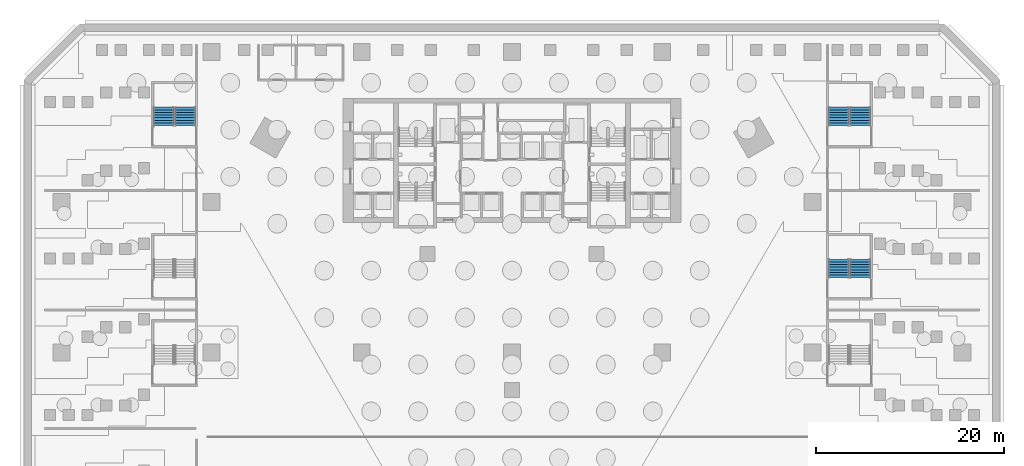
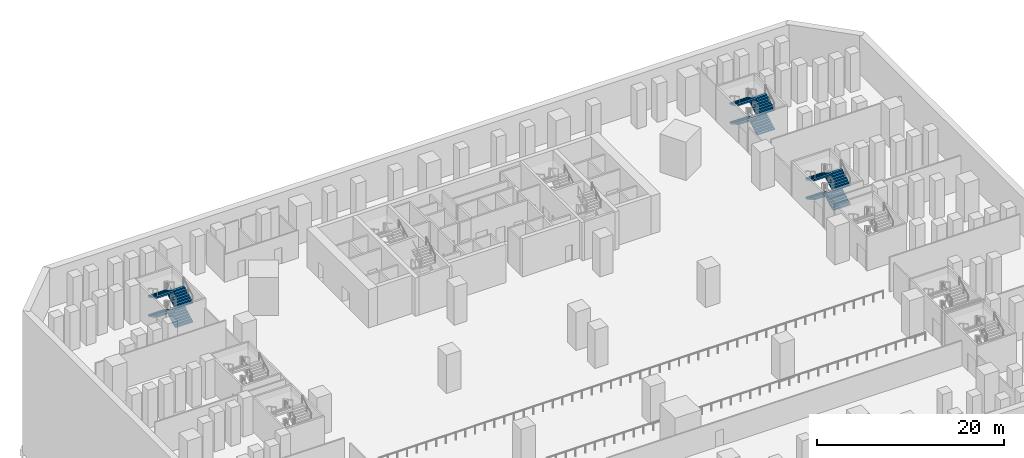
# One storey, part 17 of 27: 12 stair flights, 3 elements without a shape of their own.
"""IFC4 building model written with IfcOpenShell, lengths in metres."""

from ifc_helpers import new_model, si_unit, direction, frame, origin, place, context, subcontext, project, spatial, faceted_brep, source, transform, mapped, material, type_object, element, aggregate, save


model = new_model("IFC4")

# Units and contexts
model_context = context("Model", 3, precision=1e-05, world=origin(), true_north=direction((0.0, 1.0)))
body_context = subcontext(model_context, "Body", "Model", "MODEL_VIEW")
ifc_project = project(units=[si_unit("LENGTHUNIT", "METRE"), si_unit("AREAUNIT", "SQUARE_METRE"), si_unit("VOLUMEUNIT", "CUBIC_METRE"), si_unit("PLANEANGLEUNIT", "RADIAN"), si_unit("MASSUNIT", "GRAM", prefix="KILO")], contexts=[model_context])

# Site, building, storey
site_placement = place(None, origin())
site = spatial("IfcSite", under=ifc_project, at=site_placement, CompositionType="ELEMENT")
building_placement = place(site_placement, origin())
building = spatial("IfcBuilding", under=site, at=building_placement, Name="Calabash Gate Tower", CompositionType="ELEMENT")
storey_placement = place(building_placement, frame((0.0, 0.0, -10.0)))
storey = spatial("IfcBuildingStorey", under=building, at=storey_placement, Name="B2", CompositionType="ELEMENT", Elevation=-10.0)

# Stair, stair flights
ifc_material_1 = material(Name="Concrete C40/50", Category="concrete")
stair_type = type_object("IfcStairType", Name="Public stair 32 risers of 156.2 mm", PredefinedType="HALF_TURN_STAIR", material=ifc_material_1)
stair_1_placement = place(storey_placement, origin())
stair_1 = element("IfcStair", 1, at=stair_1_placement, inside=storey, type_object=stair_type, Name="B2 Public Stair PS5", PredefinedType="HALF_TURN_STAIR")
ifc_material_2 = material(Name="Concrete C40/50", Category="concrete")
stair_flight_type = type_object("IfcStairFlightType", Name="Exit stair flight SFL", PredefinedType="STRAIGHT", material=ifc_material_2)
shared_shape = source(origin(), body_context, "Body", "Brep", [
    faceted_brep([(-0.0009765625, -1.080078125, 0.0), (0.306884765625, -1.080078125, 0.0), (1.9541015625, -1.080078125, 0.921875), (-0.0009765625, 1.080078125, 0.0), (1.9541015625, 1.080078125, 0.921875), (0.306884765625, 1.080078125, 0.0), (1.9541015625, -1.080078125, 1.105712890625), (1.952880859375, -1.080078125, 1.105712890625), (1.952880859375, 1.080078125, 1.105712890625), (1.9541015625, 1.080078125, 1.105712890625), (1.952880859375, -1.080078125, 1.09375), (1.952880859375, 1.080078125, 1.09375), (1.674072265625, -1.080078125, 1.09375), (1.674072265625, 1.080078125, 1.09375), (1.674072265625, -1.080078125, 0.9375), (1.674072265625, 1.080078125, 0.9375), (1.39501953125, -1.080078125, 0.9375), (1.39501953125, 1.080078125, 0.9375), (1.39501953125, -1.080078125, 0.78125), (1.39501953125, 1.080078125, 0.78125), (1.115966796875, -1.080078125, 0.78125), (1.115966796875, -1.080078125, 0.625), (1.115966796875, 1.080078125, 0.625), (1.115966796875, 1.080078125, 0.78125), (0.8369140625, -1.080078125, 0.625), (0.8369140625, -1.080078125, 0.46875), (0.8369140625, 1.080078125, 0.46875), (0.8369140625, 1.080078125, 0.625), (0.55810546875, -1.080078125, 0.46875), (0.55810546875, -1.080078125, 0.3125), (0.55810546875, 1.080078125, 0.3125), (0.55810546875, 1.080078125, 0.46875), (0.279052734375, -1.080078125, 0.3125), (0.279052734375, -1.080078125, 0.15625), (0.279052734375, 1.080078125, 0.15625), (0.279052734375, 1.080078125, 0.3125), (-0.0009765625, -1.080078125, 0.15625), (-0.0009765625, 1.080078125, 0.15625), (0.306884765625, -0.431884765625, 0.0), (1.9541015625, -0.431884765625, 0.921875), (0.306884765625, -0.370361328125, 0.0), (1.9541015625, -0.370361328125, 0.921875), (0.306884765625, -0.30859375, 0.0), (1.9541015625, -0.30859375, 0.921875), (0.306884765625, -0.246826171875, 0.0), (1.9541015625, -0.246826171875, 0.921875), (0.306884765625, -0.18505859375, 0.0), (1.9541015625, -0.18505859375, 0.921875), (0.306884765625, -0.12353515625, 0.0), (1.9541015625, -0.12353515625, 0.921875), (0.306884765625, -0.061767578125, 0.0), (1.9541015625, -0.061767578125, 0.921875), (0.306884765625, 0.0, 0.0), (1.9541015625, 0.0, 0.921875), (0.306884765625, 0.061767578125, 0.0), (1.9541015625, 0.061767578125, 0.921875), (0.306884765625, 0.12353515625, 0.0), (1.9541015625, 0.12353515625, 0.921875), (0.306884765625, 0.18505859375, 0.0), (1.9541015625, 0.18505859375, 0.921875), (0.306884765625, 0.246826171875, 0.0), (1.9541015625, 0.246826171875, 0.921875), (0.306884765625, 0.30859375, 0.0), (1.9541015625, 0.30859375, 0.921875), (0.306884765625, 0.370361328125, 0.0), (1.9541015625, 0.370361328125, 0.921875), (0.306884765625, 0.431884765625, 0.0), (1.9541015625, 0.431884765625, 0.921875), (1.9541015625, -0.431884765625, 1.105712890625), (1.9541015625, -0.370361328125, 1.105712890625), (1.9541015625, -0.30859375, 1.105712890625), (1.9541015625, -0.246826171875, 1.105712890625), (1.9541015625, -0.18505859375, 1.105712890625), (1.9541015625, -0.12353515625, 1.105712890625), (1.9541015625, -0.061767578125, 1.105712890625), (1.9541015625, 0.0, 1.105712890625), (1.9541015625, 0.061767578125, 1.105712890625), (1.9541015625, 0.12353515625, 1.105712890625), (1.9541015625, 0.18505859375, 1.105712890625), (1.9541015625, 0.246826171875, 1.105712890625), (1.9541015625, 0.30859375, 1.105712890625), (1.9541015625, 0.370361328125, 1.105712890625), (1.9541015625, 0.431884765625, 1.105712890625), (1.952880859375, -0.431884765625, 1.105712890625), (1.952880859375, -0.370361328125, 1.105712890625), (1.952880859375, -0.30859375, 1.105712890625), (1.952880859375, -0.246826171875, 1.105712890625), (1.952880859375, -0.18505859375, 1.105712890625), (1.952880859375, -0.12353515625, 1.105712890625), (1.952880859375, -0.061767578125, 1.105712890625), (1.952880859375, 0.0, 1.105712890625), (1.952880859375, 0.061767578125, 1.105712890625), (1.952880859375, 0.12353515625, 1.105712890625), (1.952880859375, 0.18505859375, 1.105712890625), (1.952880859375, 0.246826171875, 1.105712890625), (1.952880859375, 0.30859375, 1.105712890625), (1.952880859375, 0.370361328125, 1.105712890625), (1.952880859375, 0.431884765625, 1.105712890625), (1.952880859375, -0.431884765625, 1.09375), (1.952880859375, -0.370361328125, 1.09375), (1.952880859375, -0.30859375, 1.09375), (1.952880859375, -0.246826171875, 1.09375), (1.952880859375, -0.18505859375, 1.09375), (1.952880859375, -0.12353515625, 1.09375), (1.952880859375, -0.061767578125, 1.09375), (1.952880859375, 0.0, 1.09375), (1.952880859375, 0.061767578125, 1.09375), (1.952880859375, 0.12353515625, 1.09375), (1.952880859375, 0.18505859375, 1.09375), (1.952880859375, 0.246826171875, 1.09375), (1.952880859375, 0.30859375, 1.09375), (1.952880859375, 0.370361328125, 1.09375), (1.952880859375, 0.431884765625, 1.09375), (1.674072265625, -0.431884765625, 1.09375), (1.674072265625, -0.370361328125, 1.09375), (1.674072265625, -0.30859375, 1.09375), (1.674072265625, -0.246826171875, 1.09375), (1.674072265625, -0.18505859375, 1.09375), (1.674072265625, -0.12353515625, 1.09375), (1.674072265625, -0.061767578125, 1.09375), (1.674072265625, 0.0, 1.09375), (1.674072265625, 0.061767578125, 1.09375), (1.674072265625, 0.12353515625, 1.09375), (1.674072265625, 0.18505859375, 1.09375), (1.674072265625, 0.246826171875, 1.09375), (1.674072265625, 0.30859375, 1.09375), (1.674072265625, 0.370361328125, 1.09375), (1.674072265625, 0.431884765625, 1.09375), (1.674072265625, -0.431884765625, 0.9375), (1.674072265625, -0.370361328125, 0.9375), (1.674072265625, -0.30859375, 0.9375), (1.674072265625, -0.246826171875, 0.9375), (1.674072265625, -0.18505859375, 0.9375), (1.674072265625, -0.12353515625, 0.9375), (1.674072265625, -0.061767578125, 0.9375), (1.674072265625, 0.0, 0.9375), (1.674072265625, 0.061767578125, 0.9375), (1.674072265625, 0.12353515625, 0.9375), (1.674072265625, 0.18505859375, 0.9375), (1.674072265625, 0.246826171875, 0.9375), (1.674072265625, 0.30859375, 0.9375), (1.674072265625, 0.370361328125, 0.9375), (1.674072265625, 0.431884765625, 0.9375), (1.39501953125, -0.431884765625, 0.9375), (1.39501953125, -0.370361328125, 0.9375), (1.39501953125, -0.30859375, 0.9375), (1.39501953125, -0.246826171875, 0.9375), (1.39501953125, -0.18505859375, 0.9375), (1.39501953125, -0.12353515625, 0.9375), (1.39501953125, -0.061767578125, 0.9375), (1.39501953125, 0.0, 0.9375), (1.39501953125, 0.061767578125, 0.9375), (1.39501953125, 0.12353515625, 0.9375), (1.39501953125, 0.18505859375, 0.9375), (1.39501953125, 0.246826171875, 0.9375), (1.39501953125, 0.30859375, 0.9375), (1.39501953125, 0.370361328125, 0.9375), (1.39501953125, 0.431884765625, 0.9375), (1.39501953125, -0.431884765625, 0.78125), (1.39501953125, -0.370361328125, 0.78125), (1.39501953125, -0.30859375, 0.78125), (1.39501953125, -0.246826171875, 0.78125), (1.39501953125, -0.18505859375, 0.78125), (1.39501953125, -0.12353515625, 0.78125), (1.39501953125, -0.061767578125, 0.78125), (1.39501953125, 0.0, 0.78125), (1.39501953125, 0.061767578125, 0.78125), (1.39501953125, 0.12353515625, 0.78125), (1.39501953125, 0.18505859375, 0.78125), (1.39501953125, 0.246826171875, 0.78125), (1.39501953125, 0.30859375, 0.78125), (1.39501953125, 0.370361328125, 0.78125), (1.39501953125, 0.431884765625, 0.78125), (1.115966796875, -0.431884765625, 0.78125), (1.115966796875, -0.370361328125, 0.78125), (1.115966796875, -0.30859375, 0.78125), (1.115966796875, -0.246826171875, 0.78125), (1.115966796875, -0.18505859375, 0.78125), (1.115966796875, -0.12353515625, 0.78125), (1.115966796875, -0.061767578125, 0.78125), (1.115966796875, 0.0, 0.78125), (1.115966796875, 0.061767578125, 0.78125), (1.115966796875, 0.12353515625, 0.78125), (1.115966796875, 0.18505859375, 0.78125), (1.115966796875, 0.246826171875, 0.78125), (1.115966796875, 0.30859375, 0.78125), (1.115966796875, 0.370361328125, 0.78125), (1.115966796875, 0.431884765625, 0.78125), (1.115966796875, -0.431884765625, 0.625), (1.115966796875, -0.370361328125, 0.625), (1.115966796875, -0.30859375, 0.625), (1.115966796875, -0.246826171875, 0.625), (1.115966796875, -0.18505859375, 0.625), (1.115966796875, -0.12353515625, 0.625), (1.115966796875, -0.061767578125, 0.625), (1.115966796875, 0.0, 0.625), (1.115966796875, 0.061767578125, 0.625), (1.115966796875, 0.12353515625, 0.625), (1.115966796875, 0.18505859375, 0.625), (1.115966796875, 0.246826171875, 0.625), (1.115966796875, 0.30859375, 0.625), (1.115966796875, 0.370361328125, 0.625), (1.115966796875, 0.431884765625, 0.625), (0.8369140625, -0.431884765625, 0.625), (0.8369140625, -0.370361328125, 0.625), (0.8369140625, -0.30859375, 0.625), (0.8369140625, -0.246826171875, 0.625), (0.8369140625, -0.18505859375, 0.625), (0.8369140625, -0.12353515625, 0.625), (0.8369140625, -0.061767578125, 0.625), (0.8369140625, 0.0, 0.625), (0.8369140625, 0.061767578125, 0.625), (0.8369140625, 0.12353515625, 0.625), (0.8369140625, 0.18505859375, 0.625), (0.8369140625, 0.246826171875, 0.625), (0.8369140625, 0.30859375, 0.625), (0.8369140625, 0.370361328125, 0.625), (0.8369140625, 0.431884765625, 0.625), (0.8369140625, -0.431884765625, 0.46875), (0.8369140625, -0.370361328125, 0.46875), (0.8369140625, -0.30859375, 0.46875), (0.8369140625, -0.246826171875, 0.46875), (0.8369140625, -0.18505859375, 0.46875), (0.8369140625, -0.12353515625, 0.46875), (0.8369140625, -0.061767578125, 0.46875), (0.8369140625, 0.0, 0.46875), (0.8369140625, 0.061767578125, 0.46875), (0.8369140625, 0.12353515625, 0.46875), (0.8369140625, 0.18505859375, 0.46875), (0.8369140625, 0.246826171875, 0.46875), (0.8369140625, 0.30859375, 0.46875), (0.8369140625, 0.370361328125, 0.46875), (0.8369140625, 0.431884765625, 0.46875), (0.55810546875, -0.431884765625, 0.46875), (0.55810546875, -0.370361328125, 0.46875), (0.55810546875, -0.30859375, 0.46875), (0.55810546875, -0.246826171875, 0.46875), (0.55810546875, -0.18505859375, 0.46875), (0.55810546875, -0.12353515625, 0.46875), (0.55810546875, -0.061767578125, 0.46875), (0.55810546875, 0.0, 0.46875), (0.55810546875, 0.061767578125, 0.46875), (0.55810546875, 0.12353515625, 0.46875), (0.55810546875, 0.18505859375, 0.46875), (0.55810546875, 0.246826171875, 0.46875), (0.55810546875, 0.30859375, 0.46875), (0.55810546875, 0.370361328125, 0.46875), (0.55810546875, 0.431884765625, 0.46875), (0.55810546875, -0.431884765625, 0.3125), (0.55810546875, -0.370361328125, 0.3125), (0.55810546875, -0.30859375, 0.3125), (0.55810546875, -0.246826171875, 0.3125), (0.55810546875, -0.18505859375, 0.3125), (0.55810546875, -0.12353515625, 0.3125), (0.55810546875, -0.061767578125, 0.3125), (0.55810546875, 0.0, 0.3125), (0.55810546875, 0.061767578125, 0.3125), (0.55810546875, 0.12353515625, 0.3125), (0.55810546875, 0.18505859375, 0.3125), (0.55810546875, 0.246826171875, 0.3125), (0.55810546875, 0.30859375, 0.3125), (0.55810546875, 0.370361328125, 0.3125), (0.55810546875, 0.431884765625, 0.3125), (0.279052734375, -0.431884765625, 0.3125), (0.279052734375, -0.370361328125, 0.3125), (0.279052734375, -0.30859375, 0.3125), (0.279052734375, -0.246826171875, 0.3125), (0.279052734375, -0.18505859375, 0.3125), (0.279052734375, -0.12353515625, 0.3125), (0.279052734375, -0.061767578125, 0.3125), (0.279052734375, 0.0, 0.3125), (0.279052734375, 0.061767578125, 0.3125), (0.279052734375, 0.12353515625, 0.3125), (0.279052734375, 0.18505859375, 0.3125), (0.279052734375, 0.246826171875, 0.3125), (0.279052734375, 0.30859375, 0.3125), (0.279052734375, 0.370361328125, 0.3125), (0.279052734375, 0.431884765625, 0.3125), (0.279052734375, -0.431884765625, 0.15625), (0.279052734375, -0.370361328125, 0.15625), (0.279052734375, -0.30859375, 0.15625), (0.279052734375, -0.246826171875, 0.15625), (0.279052734375, -0.18505859375, 0.15625), (0.279052734375, -0.12353515625, 0.15625), (0.279052734375, -0.061767578125, 0.15625), (0.279052734375, 0.0, 0.15625), (0.279052734375, 0.061767578125, 0.15625), (0.279052734375, 0.12353515625, 0.15625), (0.279052734375, 0.18505859375, 0.15625), (0.279052734375, 0.246826171875, 0.15625), (0.279052734375, 0.30859375, 0.15625), (0.279052734375, 0.370361328125, 0.15625), (0.279052734375, 0.431884765625, 0.15625), (-0.0009765625, -0.431884765625, 0.15625), (-0.0009765625, -0.370361328125, 0.15625), (-0.0009765625, -0.30859375, 0.15625), (-0.0009765625, -0.246826171875, 0.15625), (-0.0009765625, -0.18505859375, 0.15625), (-0.0009765625, -0.12353515625, 0.15625), (-0.0009765625, -0.061767578125, 0.15625), (-0.0009765625, 0.0, 0.15625), (-0.0009765625, 0.061767578125, 0.15625), (-0.0009765625, 0.12353515625, 0.15625), (-0.0009765625, 0.18505859375, 0.15625), (-0.0009765625, 0.246826171875, 0.15625), (-0.0009765625, 0.30859375, 0.15625), (-0.0009765625, 0.370361328125, 0.15625), (-0.0009765625, 0.431884765625, 0.15625), (-0.0009765625, -0.431884765625, 0.0), (-0.0009765625, -0.370361328125, 0.0), (-0.0009765625, -0.30859375, 0.0), (-0.0009765625, -0.246826171875, 0.0), (-0.0009765625, -0.18505859375, 0.0), (-0.0009765625, -0.12353515625, 0.0), (-0.0009765625, -0.061767578125, 0.0), (-0.0009765625, 0.0, 0.0), (-0.0009765625, 0.061767578125, 0.0), (-0.0009765625, 0.12353515625, 0.0), (-0.0009765625, 0.18505859375, 0.0), (-0.0009765625, 0.246826171875, 0.0), (-0.0009765625, 0.30859375, 0.0), (-0.0009765625, 0.370361328125, 0.0), (-0.0009765625, 0.431884765625, 0.0)], [[[0, 1, 2]], [[3, 4, 5]], [[2, 6, 7]], [[4, 8, 9]], [[2, 7, 10]], [[4, 11, 8]], [[2, 10, 12]], [[4, 13, 11]], [[2, 12, 14]], [[4, 15, 13]], [[2, 14, 16]], [[4, 17, 15]], [[2, 16, 18]], [[4, 19, 17]], [[18, 20, 21]], [[19, 22, 23]], [[2, 18, 21]], [[4, 22, 19]], [[21, 24, 25]], [[22, 26, 27]], [[2, 21, 25]], [[4, 26, 22]], [[25, 28, 29]], [[26, 30, 31]], [[2, 25, 29]], [[4, 30, 26]], [[29, 32, 33]], [[30, 34, 35]], [[2, 29, 33]], [[4, 34, 30]], [[0, 2, 33]], [[3, 34, 4]], [[33, 36, 0]], [[34, 3, 37]], [[1, 38, 2]], [[38, 39, 2]], [[38, 40, 39]], [[40, 41, 39]], [[40, 42, 41]], [[42, 43, 41]], [[42, 44, 43]], [[44, 45, 43]], [[44, 46, 45]], [[46, 47, 45]], [[46, 48, 47]], [[48, 49, 47]], [[48, 50, 49]], [[50, 51, 49]], [[50, 52, 51]], [[52, 53, 51]], [[52, 54, 55]], [[52, 55, 53]], [[54, 56, 57]], [[54, 57, 55]], [[56, 58, 59]], [[56, 59, 57]], [[58, 60, 61]], [[58, 61, 59]], [[60, 62, 63]], [[60, 63, 61]], [[62, 64, 65]], [[62, 65, 63]], [[64, 66, 67]], [[64, 67, 65]], [[66, 5, 4]], [[66, 4, 67]], [[2, 39, 6]], [[39, 68, 6]], [[39, 41, 68]], [[41, 69, 68]], [[41, 43, 69]], [[43, 70, 69]], [[43, 45, 70]], [[45, 71, 70]], [[45, 47, 71]], [[47, 72, 71]], [[47, 49, 72]], [[49, 73, 72]], [[49, 51, 73]], [[51, 74, 73]], [[51, 53, 74]], [[53, 75, 74]], [[53, 55, 76]], [[53, 76, 75]], [[55, 57, 77]], [[55, 77, 76]], [[57, 59, 78]], [[57, 78, 77]], [[59, 61, 79]], [[59, 79, 78]], [[61, 63, 80]], [[61, 80, 79]], [[63, 65, 81]], [[63, 81, 80]], [[65, 67, 82]], [[65, 82, 81]], [[67, 4, 9]], [[67, 9, 82]], [[6, 68, 7]], [[68, 83, 7]], [[68, 69, 83]], [[69, 84, 83]], [[69, 70, 84]], [[70, 85, 84]], [[70, 71, 85]], [[71, 86, 85]], [[71, 72, 86]], [[72, 87, 86]], [[72, 73, 87]], [[73, 88, 87]], [[73, 74, 88]], [[74, 89, 88]], [[74, 75, 89]], [[75, 90, 89]], [[75, 76, 91]], [[75, 91, 90]], [[76, 77, 92]], [[76, 92, 91]], [[77, 78, 93]], [[77, 93, 92]], [[78, 79, 94]], [[78, 94, 93]], [[79, 80, 95]], [[79, 95, 94]], [[80, 81, 96]], [[80, 96, 95]], [[81, 82, 97]], [[81, 97, 96]], [[82, 9, 8]], [[82, 8, 97]], [[7, 83, 10]], [[83, 98, 10]], [[83, 84, 98]], [[84, 99, 98]], [[84, 85, 99]], [[85, 100, 99]], [[85, 86, 100]], [[86, 101, 100]], [[86, 87, 101]], [[87, 102, 101]], [[87, 88, 102]], [[88, 103, 102]], [[88, 89, 103]], [[89, 104, 103]], [[89, 90, 104]], [[90, 105, 104]], [[90, 91, 106]], [[90, 106, 105]], [[91, 92, 107]], [[91, 107, 106]], [[92, 93, 108]], [[92, 108, 107]], [[93, 94, 109]], [[93, 109, 108]], [[94, 95, 110]], [[94, 110, 109]], [[95, 96, 111]], [[95, 111, 110]], [[96, 97, 112]], [[96, 112, 111]], [[97, 8, 11]], [[97, 11, 112]], [[10, 98, 12]], [[98, 113, 12]], [[98, 99, 113]], [[99, 114, 113]], [[99, 100, 114]], [[100, 115, 114]], [[100, 101, 115]], [[101, 116, 115]], [[101, 102, 116]], [[102, 117, 116]], [[102, 103, 117]], [[103, 118, 117]], [[103, 104, 118]], [[104, 119, 118]], [[104, 105, 119]], [[105, 120, 119]], [[105, 106, 121]], [[105, 121, 120]], [[106, 107, 122]], [[106, 122, 121]], [[107, 108, 123]], [[107, 123, 122]], [[108, 109, 124]], [[108, 124, 123]], [[109, 110, 125]], [[109, 125, 124]], [[110, 111, 126]], [[110, 126, 125]], [[111, 112, 127]], [[111, 127, 126]], [[112, 11, 13]], [[112, 13, 127]], [[12, 113, 14]], [[113, 128, 14]], [[113, 114, 128]], [[114, 129, 128]], [[114, 115, 129]], [[115, 130, 129]], [[115, 116, 130]], [[116, 131, 130]], [[116, 117, 131]], [[117, 132, 131]], [[117, 118, 132]], [[118, 133, 132]], [[118, 119, 133]], [[119, 134, 133]], [[119, 120, 134]], [[120, 135, 134]], [[120, 121, 136]], [[120, 136, 135]], [[121, 122, 137]], [[121, 137, 136]], [[122, 123, 138]], [[122, 138, 137]], [[123, 124, 139]], [[123, 139, 138]], [[124, 125, 140]], [[124, 140, 139]], [[125, 126, 141]], [[125, 141, 140]], [[126, 127, 142]], [[126, 142, 141]], [[127, 13, 15]], [[127, 15, 142]], [[14, 128, 16]], [[128, 143, 16]], [[128, 129, 143]], [[129, 144, 143]], [[129, 130, 144]], [[130, 145, 144]], [[130, 131, 145]], [[131, 146, 145]], [[131, 132, 146]], [[132, 147, 146]], [[132, 133, 147]], [[133, 148, 147]], [[133, 134, 148]], [[134, 149, 148]], [[134, 135, 149]], [[135, 150, 149]], [[135, 136, 151]], [[135, 151, 150]], [[136, 137, 152]], [[136, 152, 151]], [[137, 138, 153]], [[137, 153, 152]], [[138, 139, 154]], [[138, 154, 153]], [[139, 140, 155]], [[139, 155, 154]], [[140, 141, 156]], [[140, 156, 155]], [[141, 142, 157]], [[141, 157, 156]], [[142, 15, 17]], [[142, 17, 157]], [[16, 143, 18]], [[143, 158, 18]], [[143, 144, 158]], [[144, 159, 158]], [[144, 145, 159]], [[145, 160, 159]], [[145, 146, 160]], [[146, 161, 160]], [[146, 147, 161]], [[147, 162, 161]], [[147, 148, 162]], [[148, 163, 162]], [[148, 149, 163]], [[149, 164, 163]], [[149, 150, 164]], [[150, 165, 164]], [[150, 151, 166]], [[150, 166, 165]], [[151, 152, 167]], [[151, 167, 166]], [[152, 153, 168]], [[152, 168, 167]], [[153, 154, 169]], [[153, 169, 168]], [[154, 155, 170]], [[154, 170, 169]], [[155, 156, 171]], [[155, 171, 170]], [[156, 157, 172]], [[156, 172, 171]], [[157, 17, 19]], [[157, 19, 172]], [[18, 158, 20]], [[158, 173, 20]], [[158, 159, 173]], [[159, 174, 173]], [[159, 160, 174]], [[160, 175, 174]], [[160, 161, 175]], [[161, 176, 175]], [[161, 162, 176]], [[162, 177, 176]], [[162, 163, 177]], [[163, 178, 177]], [[163, 164, 178]], [[164, 179, 178]], [[164, 165, 179]], [[165, 180, 179]], [[165, 166, 181]], [[165, 181, 180]], [[166, 167, 182]], [[166, 182, 181]], [[167, 168, 183]], [[167, 183, 182]], [[168, 169, 184]], [[168, 184, 183]], [[169, 170, 185]], [[169, 185, 184]], [[170, 171, 186]], [[170, 186, 185]], [[171, 172, 187]], [[171, 187, 186]], [[172, 19, 23]], [[172, 23, 187]], [[20, 173, 21]], [[173, 188, 21]], [[173, 174, 188]], [[174, 189, 188]], [[174, 175, 189]], [[175, 190, 189]], [[175, 176, 190]], [[176, 191, 190]], [[176, 177, 191]], [[177, 192, 191]], [[177, 178, 192]], [[178, 193, 192]], [[178, 179, 193]], [[179, 194, 193]], [[179, 180, 194]], [[180, 195, 194]], [[180, 181, 196]], [[180, 196, 195]], [[181, 182, 197]], [[181, 197, 196]], [[182, 183, 198]], [[182, 198, 197]], [[183, 184, 199]], [[183, 199, 198]], [[184, 185, 200]], [[184, 200, 199]], [[185, 186, 201]], [[185, 201, 200]], [[186, 187, 202]], [[186, 202, 201]], [[187, 23, 22]], [[187, 22, 202]], [[21, 188, 24]], [[188, 203, 24]], [[188, 189, 203]], [[189, 204, 203]], [[189, 190, 204]], [[190, 205, 204]], [[190, 191, 205]], [[191, 206, 205]], [[191, 192, 206]], [[192, 207, 206]], [[192, 193, 207]], [[193, 208, 207]], [[193, 194, 208]], [[194, 209, 208]], [[194, 195, 209]], [[195, 210, 209]], [[195, 196, 211]], [[195, 211, 210]], [[196, 197, 212]], [[196, 212, 211]], [[197, 198, 213]], [[197, 213, 212]], [[198, 199, 214]], [[198, 214, 213]], [[199, 200, 215]], [[199, 215, 214]], [[200, 201, 216]], [[200, 216, 215]], [[201, 202, 217]], [[201, 217, 216]], [[202, 22, 27]], [[202, 27, 217]], [[24, 203, 25]], [[203, 218, 25]], [[203, 204, 218]], [[204, 219, 218]], [[204, 205, 219]], [[205, 220, 219]], [[205, 206, 220]], [[206, 221, 220]], [[206, 207, 221]], [[207, 222, 221]], [[207, 208, 222]], [[208, 223, 222]], [[208, 209, 223]], [[209, 224, 223]], [[209, 210, 224]], [[210, 225, 224]], [[210, 211, 226]], [[210, 226, 225]], [[211, 212, 227]], [[211, 227, 226]], [[212, 213, 228]], [[212, 228, 227]], [[213, 214, 229]], [[213, 229, 228]], [[214, 215, 230]], [[214, 230, 229]], [[215, 216, 231]], [[215, 231, 230]], [[216, 217, 232]], [[216, 232, 231]], [[217, 27, 26]], [[217, 26, 232]], [[25, 218, 28]], [[218, 233, 28]], [[218, 219, 233]], [[219, 234, 233]], [[219, 220, 234]], [[220, 235, 234]], [[220, 221, 235]], [[221, 236, 235]], [[221, 222, 236]], [[222, 237, 236]], [[222, 223, 237]], [[223, 238, 237]], [[223, 224, 238]], [[224, 239, 238]], [[224, 225, 239]], [[225, 240, 239]], [[225, 226, 241]], [[225, 241, 240]], [[226, 227, 242]], [[226, 242, 241]], [[227, 228, 243]], [[227, 243, 242]], [[228, 229, 244]], [[228, 244, 243]], [[229, 230, 245]], [[229, 245, 244]], [[230, 231, 246]], [[230, 246, 245]], [[231, 232, 247]], [[231, 247, 246]], [[232, 26, 31]], [[232, 31, 247]], [[28, 233, 29]], [[233, 248, 29]], [[233, 234, 248]], [[234, 249, 248]], [[234, 235, 249]], [[235, 250, 249]], [[235, 236, 250]], [[236, 251, 250]], [[236, 237, 251]], [[237, 252, 251]], [[237, 238, 252]], [[238, 253, 252]], [[238, 239, 253]], [[239, 254, 253]], [[239, 240, 254]], [[240, 255, 254]], [[240, 241, 256]], [[240, 256, 255]], [[241, 242, 257]], [[241, 257, 256]], [[242, 243, 258]], [[242, 258, 257]], [[243, 244, 259]], [[243, 259, 258]], [[244, 245, 260]], [[244, 260, 259]], [[245, 246, 261]], [[245, 261, 260]], [[246, 247, 262]], [[246, 262, 261]], [[247, 31, 30]], [[247, 30, 262]], [[29, 248, 32]], [[248, 263, 32]], [[248, 249, 263]], [[249, 264, 263]], [[249, 250, 264]], [[250, 265, 264]], [[250, 251, 265]], [[251, 266, 265]], [[251, 252, 266]], [[252, 267, 266]], [[252, 253, 267]], [[253, 268, 267]], [[253, 254, 268]], [[254, 269, 268]], [[254, 255, 269]], [[255, 270, 269]], [[255, 256, 271]], [[255, 271, 270]], [[256, 257, 272]], [[256, 272, 271]], [[257, 258, 273]], [[257, 273, 272]], [[258, 259, 274]], [[258, 274, 273]], [[259, 260, 275]], [[259, 275, 274]], [[260, 261, 276]], [[260, 276, 275]], [[261, 262, 277]], [[261, 277, 276]], [[262, 30, 35]], [[262, 35, 277]], [[32, 263, 33]], [[263, 278, 33]], [[263, 264, 278]], [[264, 279, 278]], [[264, 265, 279]], [[265, 280, 279]], [[265, 266, 280]], [[266, 281, 280]], [[266, 267, 281]], [[267, 282, 281]], [[267, 268, 282]], [[268, 283, 282]], [[268, 269, 283]], [[269, 284, 283]], [[269, 270, 284]], [[270, 285, 284]], [[270, 271, 286]], [[270, 286, 285]], [[271, 272, 287]], [[271, 287, 286]], [[272, 273, 288]], [[272, 288, 287]], [[273, 274, 289]], [[273, 289, 288]], [[274, 275, 290]], [[274, 290, 289]], [[275, 276, 291]], [[275, 291, 290]], [[276, 277, 292]], [[276, 292, 291]], [[277, 35, 34]], [[277, 34, 292]], [[33, 278, 36]], [[278, 293, 36]], [[278, 279, 293]], [[279, 294, 293]], [[279, 280, 294]], [[280, 295, 294]], [[280, 281, 295]], [[281, 296, 295]], [[281, 282, 296]], [[282, 297, 296]], [[282, 283, 297]], [[283, 298, 297]], [[283, 284, 298]], [[284, 299, 298]], [[284, 285, 299]], [[285, 300, 299]], [[285, 286, 301]], [[285, 301, 300]], [[286, 287, 302]], [[286, 302, 301]], [[287, 288, 303]], [[287, 303, 302]], [[288, 289, 304]], [[288, 304, 303]], [[289, 290, 305]], [[289, 305, 304]], [[290, 291, 306]], [[290, 306, 305]], [[291, 292, 307]], [[291, 307, 306]], [[292, 34, 37]], [[292, 37, 307]], [[36, 293, 0]], [[293, 308, 0]], [[293, 294, 308]], [[294, 309, 308]], [[294, 295, 309]], [[295, 310, 309]], [[295, 296, 310]], [[296, 311, 310]], [[296, 297, 311]], [[297, 312, 311]], [[297, 298, 312]], [[298, 313, 312]], [[298, 299, 313]], [[299, 314, 313]], [[299, 300, 314]], [[300, 315, 314]], [[300, 301, 316]], [[300, 316, 315]], [[301, 302, 317]], [[301, 317, 316]], [[302, 303, 318]], [[302, 318, 317]], [[303, 304, 319]], [[303, 319, 318]], [[304, 305, 320]], [[304, 320, 319]], [[305, 306, 321]], [[305, 321, 320]], [[306, 307, 322]], [[306, 322, 321]], [[307, 37, 3]], [[307, 3, 322]], [[0, 308, 1]], [[308, 38, 1]], [[308, 309, 38]], [[309, 40, 38]], [[309, 310, 40]], [[310, 42, 40]], [[310, 311, 42]], [[311, 44, 42]], [[311, 312, 44]], [[312, 46, 44]], [[312, 313, 46]], [[313, 48, 46]], [[313, 314, 48]], [[314, 50, 48]], [[314, 315, 50]], [[315, 52, 50]], [[315, 316, 54]], [[315, 54, 52]], [[316, 317, 56]], [[316, 56, 54]], [[317, 318, 58]], [[317, 58, 56]], [[318, 319, 60]], [[318, 60, 58]], [[319, 320, 62]], [[319, 62, 60]], [[320, 321, 64]], [[320, 64, 62]], [[321, 322, 66]], [[321, 66, 64]], [[322, 3, 5]], [[322, 5, 66]]]),
])
stair_flight_1_placement = place(storey_placement, frame((-34.780029296875, 16.159912109375, 0.0), z_axis=(0.0, 0.0, 1.0), x_axis=(0.0, 1.0, 0.0)))
stair_flight_1 = element("IfcStairFlight", 2, at=stair_flight_1_placement, type_object=stair_flight_type, Name="PS5 flight 1", NumberOfRisers=8, NumberOfTreads=7, PredefinedType="STRAIGHT", RiserHeight=0.15625, TreadLength=0.279, context=body_context, shape_type="MappedRepresentation", body=[
    mapped(shared_shape, transform((0.0, 0.0, 0.0), scale=1.0)),
])
stair_flight_2_placement = place(storey_placement, frame((-37.090087890625, 18.113037109375, 1.25), z_axis=(0.0, 0.0, 1.0), x_axis=(0.0, -1.0, 0.0)))
stair_flight_2 = element("IfcStairFlight", 3, at=stair_flight_2_placement, type_object=stair_flight_type, Name="PS5 flight 2", NumberOfRisers=8, NumberOfTreads=7, PredefinedType="STRAIGHT", RiserHeight=0.15625, TreadLength=0.279, context=body_context, shape_type="MappedRepresentation", body=[
    mapped(shared_shape, transform((0.0, 0.0, 0.0), scale=1.0)),
])
stair_flight_3_placement = place(storey_placement, frame((-34.780029296875, 16.159912109375, 2.5), z_axis=(0.0, 0.0, 1.0), x_axis=(0.0, 1.0, 0.0)))
stair_flight_3 = element("IfcStairFlight", 4, at=stair_flight_3_placement, type_object=stair_flight_type, Name="PS5 flight 3", NumberOfRisers=8, NumberOfTreads=7, PredefinedType="STRAIGHT", RiserHeight=0.15625, TreadLength=0.279, context=body_context, shape_type="MappedRepresentation", body=[
    mapped(shared_shape, transform((0.0, 0.0, 0.0), scale=1.0)),
])
stair_flight_4_placement = place(storey_placement, frame((-37.090087890625, 18.113037109375, 3.75), z_axis=(0.0, 0.0, 1.0), x_axis=(0.0, -1.0, 0.0)))
stair_flight_4 = element("IfcStairFlight", 5, at=stair_flight_4_placement, type_object=stair_flight_type, Name="PS5 flight 4", NumberOfRisers=8, NumberOfTreads=7, PredefinedType="STRAIGHT", RiserHeight=0.15625, TreadLength=0.279, context=body_context, shape_type="MappedRepresentation", body=[
    mapped(shared_shape, transform((0.0, 0.0, 0.0), scale=1.0)),
])
aggregate(stair_1, [stair_flight_1, stair_flight_2, stair_flight_3, stair_flight_4])

stair_2_placement = place(storey_placement, origin())
stair_2 = element("IfcStair", 6, at=stair_2_placement, inside=storey, type_object=stair_type, Name="B2 Public Stair PS9", PredefinedType="HALF_TURN_STAIR")
stair_flight_5_placement = place(storey_placement, frame((37.090087890625, -0.0400390625, 0.0), z_axis=(0.0, 0.0, 1.0), x_axis=(0.0, 1.0, 0.0)))
stair_flight_5 = element("IfcStairFlight", 7, at=stair_flight_5_placement, type_object=stair_flight_type, Name="PS9 flight 1", NumberOfRisers=8, NumberOfTreads=7, PredefinedType="STRAIGHT", RiserHeight=0.15625, TreadLength=0.279, context=body_context, shape_type="MappedRepresentation", body=[
    mapped(shared_shape, transform((0.0, 0.0, 0.0), scale=1.0)),
])
stair_flight_6_placement = place(storey_placement, frame((34.780029296875, 1.9130859375, 1.25), z_axis=(0.0, 0.0, 1.0), x_axis=(0.0, -1.0, 0.0)))
stair_flight_6 = element("IfcStairFlight", 8, at=stair_flight_6_placement, type_object=stair_flight_type, Name="PS9 flight 2", NumberOfRisers=8, NumberOfTreads=7, PredefinedType="STRAIGHT", RiserHeight=0.15625, TreadLength=0.279, context=body_context, shape_type="MappedRepresentation", body=[
    mapped(shared_shape, transform((0.0, 0.0, 0.0), scale=1.0)),
])
stair_flight_7_placement = place(storey_placement, frame((37.090087890625, -0.0400390625, 2.5), z_axis=(0.0, 0.0, 1.0), x_axis=(0.0, 1.0, 0.0)))
stair_flight_7 = element("IfcStairFlight", 9, at=stair_flight_7_placement, type_object=stair_flight_type, Name="PS9 flight 3", NumberOfRisers=8, NumberOfTreads=7, PredefinedType="STRAIGHT", RiserHeight=0.15625, TreadLength=0.279, context=body_context, shape_type="MappedRepresentation", body=[
    mapped(shared_shape, transform((0.0, 0.0, 0.0), scale=1.0)),
])
stair_flight_8_placement = place(storey_placement, frame((34.780029296875, 1.9130859375, 3.75), z_axis=(0.0, 0.0, 1.0), x_axis=(0.0, -1.0, 0.0)))
stair_flight_8 = element("IfcStairFlight", 10, at=stair_flight_8_placement, type_object=stair_flight_type, Name="PS9 flight 4", NumberOfRisers=8, NumberOfTreads=7, PredefinedType="STRAIGHT", RiserHeight=0.15625, TreadLength=0.279, context=body_context, shape_type="MappedRepresentation", body=[
    mapped(shared_shape, transform((0.0, 0.0, 0.0), scale=1.0)),
])
aggregate(stair_2, [stair_flight_5, stair_flight_6, stair_flight_7, stair_flight_8])

stair_3_placement = place(storey_placement, origin())
stair_3 = element("IfcStair", 11, at=stair_3_placement, inside=storey, type_object=stair_type, Name="B2 Public Stair PS10", PredefinedType="HALF_TURN_STAIR")
stair_flight_9_placement = place(storey_placement, frame((37.090087890625, 16.159912109375, 0.0), z_axis=(0.0, 0.0, 1.0), x_axis=(0.0, 1.0, 0.0)))
stair_flight_9 = element("IfcStairFlight", 12, at=stair_flight_9_placement, type_object=stair_flight_type, Name="PS10 flight 1", NumberOfRisers=8, NumberOfTreads=7, PredefinedType="STRAIGHT", RiserHeight=0.15625, TreadLength=0.279, context=body_context, shape_type="MappedRepresentation", body=[
    mapped(shared_shape, transform((0.0, 0.0, 0.0), scale=1.0)),
])
stair_flight_10_placement = place(storey_placement, frame((34.780029296875, 18.113037109375, 1.25), z_axis=(0.0, 0.0, 1.0), x_axis=(0.0, -1.0, 0.0)))
stair_flight_10 = element("IfcStairFlight", 13, at=stair_flight_10_placement, type_object=stair_flight_type, Name="PS10 flight 2", NumberOfRisers=8, NumberOfTreads=7, PredefinedType="STRAIGHT", RiserHeight=0.15625, TreadLength=0.279, context=body_context, shape_type="MappedRepresentation", body=[
    mapped(shared_shape, transform((0.0, 0.0, 0.0), scale=1.0)),
])
stair_flight_11_placement = place(storey_placement, frame((37.090087890625, 16.159912109375, 2.5), z_axis=(0.0, 0.0, 1.0), x_axis=(0.0, 1.0, 0.0)))
stair_flight_11 = element("IfcStairFlight", 14, at=stair_flight_11_placement, type_object=stair_flight_type, Name="PS10 flight 3", NumberOfRisers=8, NumberOfTreads=7, PredefinedType="STRAIGHT", RiserHeight=0.15625, TreadLength=0.279, context=body_context, shape_type="MappedRepresentation", body=[
    mapped(shared_shape, transform((0.0, 0.0, 0.0), scale=1.0)),
])
stair_flight_12_placement = place(storey_placement, frame((34.780029296875, 18.113037109375, 3.75), z_axis=(0.0, 0.0, 1.0), x_axis=(0.0, -1.0, 0.0)))
stair_flight_12 = element("IfcStairFlight", 15, at=stair_flight_12_placement, type_object=stair_flight_type, Name="PS10 flight 4", NumberOfRisers=8, NumberOfTreads=7, PredefinedType="STRAIGHT", RiserHeight=0.15625, TreadLength=0.279, context=body_context, shape_type="MappedRepresentation", body=[
    mapped(shared_shape, transform((0.0, 0.0, 0.0), scale=1.0)),
])
aggregate(stair_3, [stair_flight_9, stair_flight_10, stair_flight_11, stair_flight_12])

save(model, "model.ifc")
